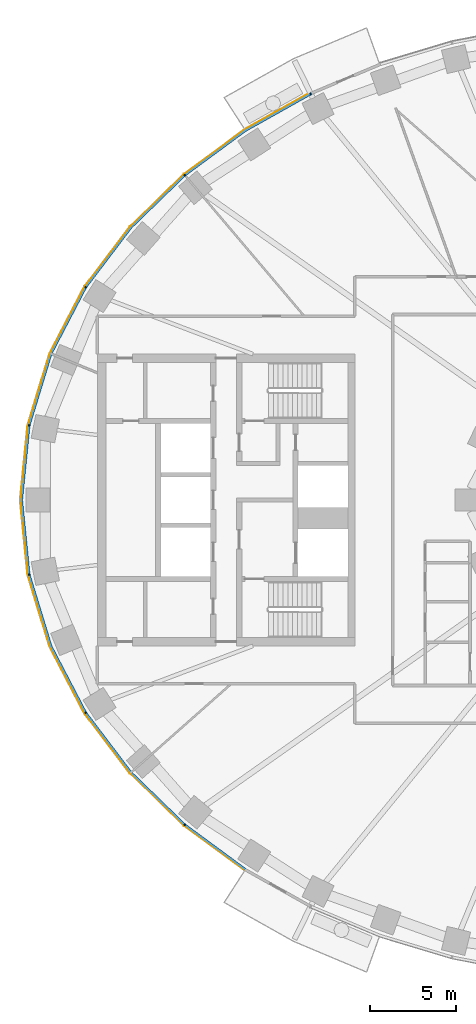
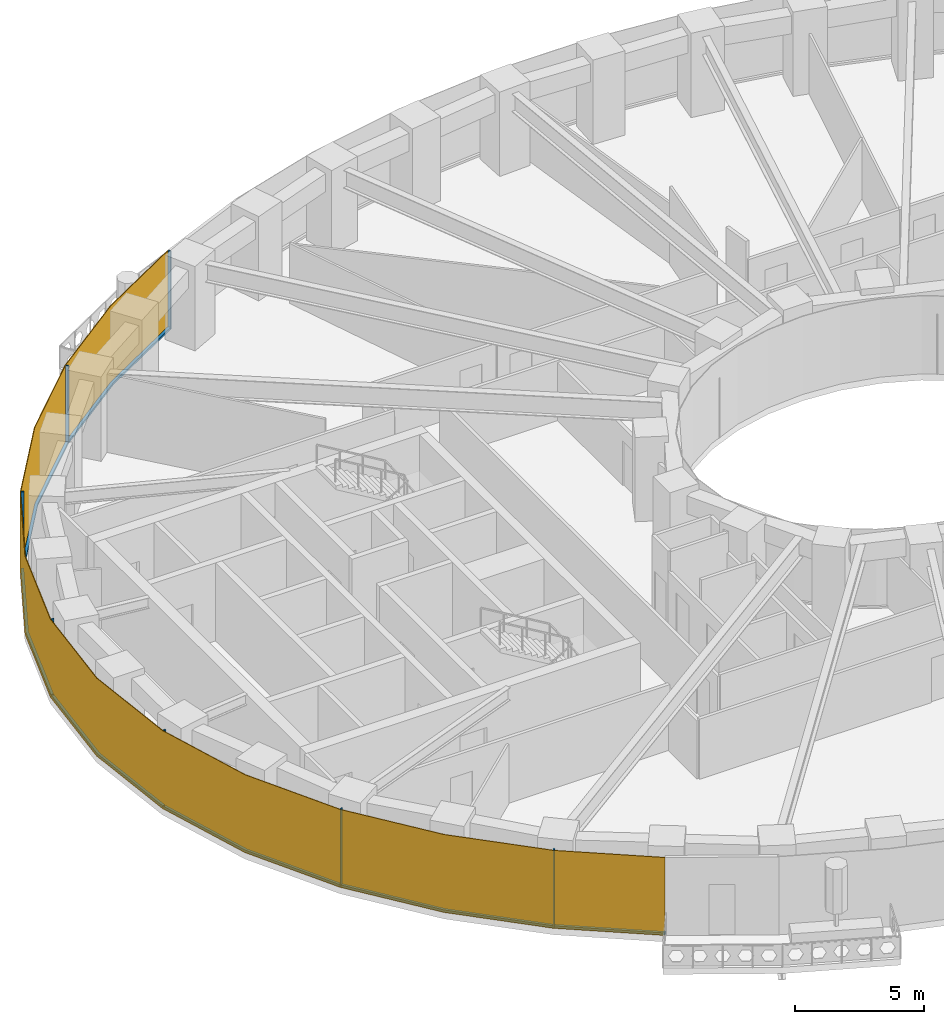
# One storey, part 8 of 15: 14 members, 1 curtain wall.
"""IFC4 building model written with IfcOpenShell, lengths in metres."""

from ifc_helpers import new_model, si_unit, direction, frame, origin, origin_2d, place, context, subcontext, project, spatial, polyline, rectangle, outline, extrude, material, layer, layer_set, material_profile, profile_set, type_object, element, aggregate, save


model = new_model("IFC4")

# Units and contexts
model_context = context("Model", 3, precision=1e-05, world=origin(), true_north=direction((0.0, 1.0)))
body_context = subcontext(model_context, "Body", "Model", "MODEL_VIEW")
ifc_project = project(units=[si_unit("LENGTHUNIT", "METRE"), si_unit("AREAUNIT", "SQUARE_METRE"), si_unit("VOLUMEUNIT", "CUBIC_METRE"), si_unit("PLANEANGLEUNIT", "RADIAN"), si_unit("MASSUNIT", "GRAM", prefix="KILO")], contexts=[model_context])

# Member
ifc_material_1 = material(Name="Aluminium 6063-T6 black anodised", Category="aluminium")
ifc_material_profile = material_profile(ifc_material_1, rectangle(XDim=0.1201171875, YDim=0.06005859375, at=origin_2d()), Name="120x60")
ifc_profile_set = profile_set([ifc_material_profile], Name="Aluminium 6063-T6 black anodised")
member_type_1 = type_object("IfcMemberType", Name="ENV-MULLION-A-120", PredefinedType="MULLION", material=ifc_profile_set)
site_placement = place(None, origin())
building_placement = place(site_placement, origin())
storey_placement = place(building_placement, frame((0.0, 0.0, 62.5)))
member_1_placement = place(storey_placement, frame((-19.06787109375, 23.6474609375, 0.0), z_axis=(0.0, 0.0, 1.0), x_axis=(0.439237769837, -0.898370848563, 0.0)))
member_1 = element("IfcMember", 1, at=member_1_placement, type_object=member_type_1, Name="Mullion A radial 17", PredefinedType="MULLION", context=body_context, shape_type="SweptSolid", body=[
    extrude(rectangle(XDim=0.1201171875, YDim=0.06005859375, at=origin_2d()), origin(), (0.0, 0.0, 1.0), 3.699951171875),
])

member_2_placement = place(storey_placement, frame((-26.403564453125, 18.9130859375, 0.0), z_axis=(0.0, 0.0, 1.0), x_axis=(0.646451313783, -0.762955240435, 0.0)))
member_2 = element("IfcMember", 2, at=member_2_placement, type_object=member_type_1, Name="Mullion A radial 19", PredefinedType="MULLION", context=body_context, shape_type="SweptSolid", body=[
    extrude(rectangle(XDim=0.1201171875, YDim=0.06005859375, at=origin_2d()), origin(), (0.0, 0.0, 1.0), 3.699951171875),
])

member_3_placement = place(storey_placement, frame((-32.177490234375, 12.385498046875, 0.0), z_axis=(0.0, 0.0, 1.0), x_axis=(0.844829880882, -0.53503501976, 0.0)))
member_3 = element("IfcMember", 3, at=member_3_placement, type_object=member_type_1, Name="Mullion A radial 21", PredefinedType="MULLION", context=body_context, shape_type="SweptSolid", body=[
    extrude(rectangle(XDim=0.1201171875, YDim=0.06005859375, at=origin_2d()), origin(), (0.0, 0.0, 1.0), 3.699951171875),
])

member_4_placement = place(storey_placement, frame((-35.470947265625, 4.340576171875, 0.0), z_axis=(0.0, 0.0, 1.0), x_axis=(0.980379083141, -0.19712141776, 0.0)))
member_4 = element("IfcMember", 4, at=member_4_placement, type_object=member_type_1, Name="Mullion A radial 23", PredefinedType="MULLION", context=body_context, shape_type="SweptSolid", body=[
    extrude(rectangle(XDim=0.1201171875, YDim=0.06005859375, at=origin_2d()), origin(), (0.0, 0.0, 1.0), 3.699951171875),
])

member_5_placement = place(storey_placement, frame((-35.470947265625, -4.340576171875, 0.0), z_axis=(0.0, 0.0, 1.0), x_axis=(0.980379083141, 0.19712141776, 0.0)))
member_5 = element("IfcMember", 5, at=member_5_placement, type_object=member_type_1, Name="Mullion A radial 25", PredefinedType="MULLION", context=body_context, shape_type="SweptSolid", body=[
    extrude(rectangle(XDim=0.1201171875, YDim=0.06005859375, at=origin_2d()), origin(), (0.0, 0.0, 1.0), 3.699951171875),
])

member_6_placement = place(storey_placement, frame((-32.177490234375, -12.385498046875, 0.0), z_axis=(0.0, 0.0, 1.0), x_axis=(0.844829880882, 0.53503501976, 0.0)))
member_6 = element("IfcMember", 6, at=member_6_placement, type_object=member_type_1, Name="Mullion A radial 27", PredefinedType="MULLION", context=body_context, shape_type="SweptSolid", body=[
    extrude(rectangle(XDim=0.1201171875, YDim=0.06005859375, at=origin_2d()), origin(), (0.0, 0.0, 1.0), 3.699951171875),
])

member_7_placement = place(storey_placement, frame((-26.403564453125, -18.9130859375, 0.0), z_axis=(0.0, 0.0, 1.0), x_axis=(0.646451313783, 0.762955240435, 0.0)))
member_7 = element("IfcMember", 7, at=member_7_placement, type_object=member_type_1, Name="Mullion A radial 29", PredefinedType="MULLION", context=body_context, shape_type="SweptSolid", body=[
    extrude(rectangle(XDim=0.1201171875, YDim=0.06005859375, at=origin_2d()), origin(), (0.0, 0.0, 1.0), 3.699951171875),
])

ifc_material_2 = material(Name="Aluminium 6063-T6 black anodised", Category="aluminium")
member_type_2 = type_object("IfcMemberType", Name="ENV-TRANSOM-A", PredefinedType="USERDEFINED", material=ifc_material_2)
member_8_placement = place(storey_placement, origin())
member_8 = element("IfcMember", 8, at=member_8_placement, type_object=member_type_2, Name="Transom A radial 17-19", ObjectType="TRANSOM", PredefinedType="USERDEFINED", context=body_context, shape_type="SweptSolid", body=[
    extrude(outline(polyline([(-19.11865234375, 23.687744140625), (-22.9150390625, 21.556884765625), (-26.419921875, 18.975341796875), (-26.342041015625, 18.883544921875), (-22.85009765625, 21.455810546875), (-19.06591796875, 23.57958984375), (-19.11865234375, 23.687744140625)])), origin(), (0.0, 0.0, 1.0), 0.10009765625),
])

member_9_placement = place(storey_placement, origin())
member_9 = element("IfcMember", 9, at=member_9_placement, type_object=member_type_2, Name="Transom A radial 19-21", ObjectType="TRANSOM", PredefinedType="USERDEFINED", context=body_context, shape_type="SweptSolid", body=[
    extrude(outline(polyline([(-26.46240234375, 18.939208984375), (-29.58349609375, 15.906982421875), (-32.211181640625, 12.43994140625), (-32.109375, 12.37548828125), (-29.493408203125, 15.8271484375), (-26.384765625, 18.847412109375), (-26.46240234375, 18.939208984375)])), origin(), (0.0, 0.0, 1.0), 0.10009765625),
])

member_10_placement = place(storey_placement, origin())
member_10 = element("IfcMember", 10, at=member_10_placement, type_object=member_type_2, Name="Transom A radial 21-23", ObjectType="TRANSOM", PredefinedType="USERDEFINED", context=body_context, shape_type="SweptSolid", body=[
    extrude(outline(polyline([(-32.240966796875, 12.392578125), (-34.251220703125, 8.53662109375), (-35.521484375, 4.379150390625), (-35.4033203125, 4.355224609375), (-34.139892578125, 8.490966796875), (-32.139404296875, 12.328369140625), (-32.240966796875, 12.392578125)])), origin(), (0.0, 0.0, 1.0), 0.10009765625),
])

member_11_placement = place(storey_placement, origin())
member_11 = element("IfcMember", 11, at=member_11_placement, type_object=member_type_2, Name="Transom A radial 23-25", ObjectType="TRANSOM", PredefinedType="USERDEFINED", context=body_context, shape_type="SweptSolid", body=[
    extrude(outline(polyline([(-35.532470703125, 4.324462890625), (-35.9677734375, 0.0), (-35.532470703125, -4.324462890625), (-35.414306640625, -4.30078125), (-35.84716796875, 0.0), (-35.414306640625, 4.30078125), (-35.532470703125, 4.324462890625)])), origin(), (0.0, 0.0, 1.0), 0.10009765625),
])

member_12_placement = place(storey_placement, origin())
member_12 = element("IfcMember", 12, at=member_12_placement, type_object=member_type_2, Name="Transom A radial 25-27", ObjectType="TRANSOM", PredefinedType="USERDEFINED", context=body_context, shape_type="SweptSolid", body=[
    extrude(outline(polyline([(-35.521484375, -4.379150390625), (-34.251220703125, -8.53662109375), (-32.240966796875, -12.392578125), (-32.139404296875, -12.328369140625), (-34.139892578125, -8.490966796875), (-35.4033203125, -4.355224609375), (-35.521484375, -4.379150390625)])), origin(), (0.0, 0.0, 1.0), 0.10009765625),
])

member_13_placement = place(storey_placement, origin())
member_13 = element("IfcMember", 13, at=member_13_placement, type_object=member_type_2, Name="Transom A radial 27-29", ObjectType="TRANSOM", PredefinedType="USERDEFINED", context=body_context, shape_type="SweptSolid", body=[
    extrude(outline(polyline([(-32.211181640625, -12.43994140625), (-29.58349609375, -15.906982421875), (-26.46240234375, -18.939208984375), (-26.384765625, -18.847412109375), (-29.493408203125, -15.8271484375), (-32.109375, -12.37548828125), (-32.211181640625, -12.43994140625)])), origin(), (0.0, 0.0, 1.0), 0.10009765625),
])

member_14_placement = place(storey_placement, origin())
member_14 = element("IfcMember", 14, at=member_14_placement, type_object=member_type_2, Name="Transom A radial 29-30", ObjectType="TRANSOM", PredefinedType="USERDEFINED", context=body_context, shape_type="SweptSolid", body=[
    extrude(outline(polyline([(-26.419921875, -18.975341796875), (-22.931396484375, -21.544921875), (-22.8662109375, -21.444091796875), (-26.342041015625, -18.883544921875), (-26.419921875, -18.975341796875)])), origin(), (0.0, 0.0, 1.0), 0.10009765625),
])

# Site, building, storey
site = spatial("IfcSite", under=ifc_project, at=site_placement, CompositionType="ELEMENT")
building = spatial("IfcBuilding", under=site, at=building_placement, Name="Noorbagh Ring Tower", CompositionType="ELEMENT")
storey = spatial("IfcBuildingStorey", under=building, at=storey_placement, Name="L13", CompositionType="ELEMENT", Elevation=62.5)

# Curtain wall
ifc_material_3 = material(Name="Glass dark tinted laminated", Category="glass")
ifc_layer = layer(ifc_material_3, 0.031982421875)
ifc_layer_set = layer_set([ifc_layer], Name="Glass dark tinted laminated")
curtain_wall_type = type_object("IfcCurtainWallType", Name="ENV-CW-A", PredefinedType="NOTDEFINED", material=ifc_layer_set)
curtain_wall_placement = place(storey_placement, origin())
curtain_wall = element("IfcCurtainWall", 15, at=curtain_wall_placement, inside=storey, type_object=curtain_wall_type, Name="Curtain wall A R17", PredefinedType="NOTDEFINED", context=body_context, shape_type="SweptSolid", body=[
    extrude(outline(polyline([(-19.125732421875, 23.720458984375), (-22.9326171875, 21.583740234375), (-26.463134765625, 18.9833984375), (-29.607666015625, 15.927978515625), (-32.255126953125, 12.434814453125), (-34.281005859375, 8.548828125), (-35.561279296875, 4.358642578125), (-36.0, 0.0), (-35.561279296875, -4.358642578125), (-34.281005859375, -8.548828125), (-32.255126953125, -12.434814453125), (-29.607666015625, -15.927978515625), (-26.463134765625, -18.9833984375), (-22.948486328125, -21.572021484375), (-22.931396484375, -21.544921875), (-26.4423828125, -18.958740234375), (-29.58349609375, -15.906982421875), (-32.22802734375, -12.41748046875), (-34.251220703125, -8.53662109375), (-35.529541015625, -4.352294921875), (-35.9677734375, 0.0), (-35.529541015625, 4.352294921875), (-34.251220703125, 8.53662109375), (-32.22802734375, 12.41748046875), (-29.58349609375, 15.906982421875), (-26.4423828125, 18.958740234375), (-22.9150390625, 21.556884765625), (-19.111572265625, 23.691650390625), (-19.125732421875, 23.720458984375)])), origin(), (0.0, 0.0, 1.0), 3.699951171875),
])

aggregate(curtain_wall, [member_1, member_2, member_3, member_4, member_5, member_6, member_7, member_8, member_9, member_10, member_11, member_12, member_13, member_14])

save(model, "model.ifc")
